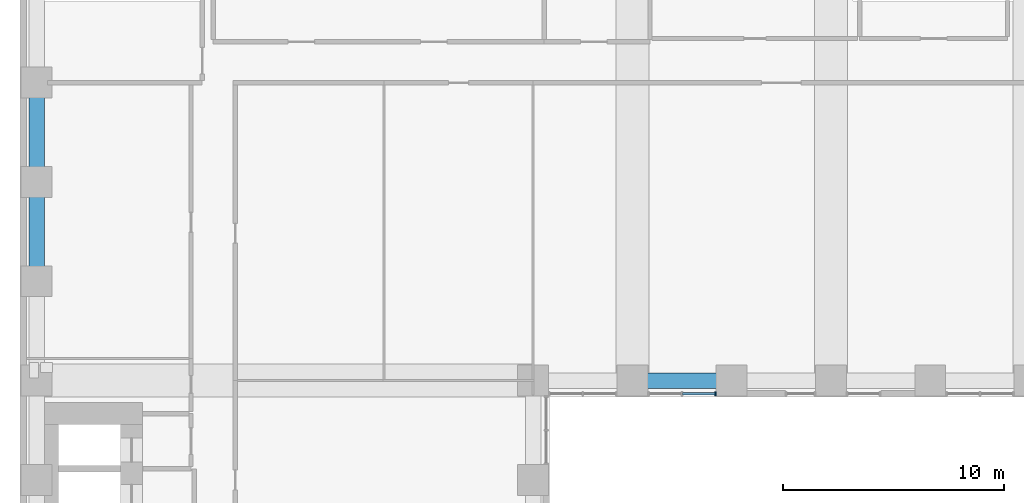
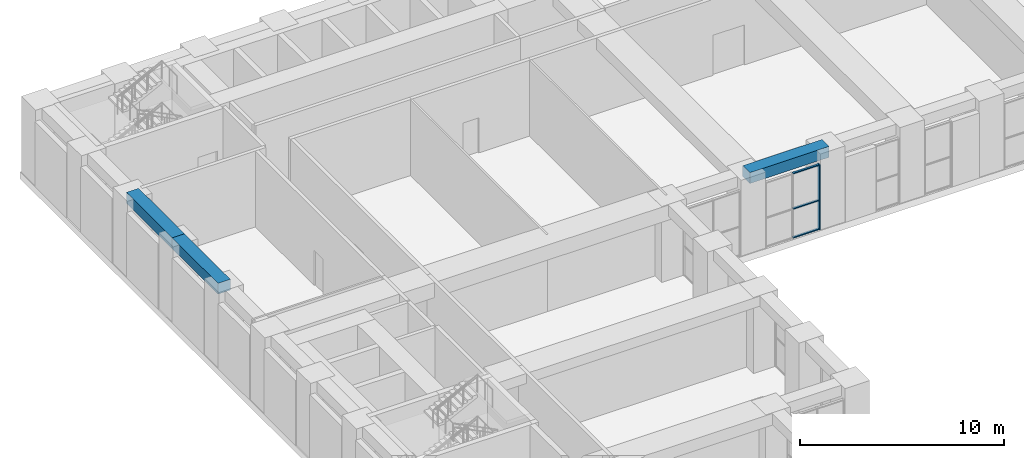
# One storey, part 4 of 34: 4 members, 3 beams, 1 element without a shape of its own.
"""IFC4 building model written with IfcOpenShell, lengths in metres."""

from ifc_helpers import new_model, si_unit, direction, frame, origin, origin_2d, place, context, subcontext, project, spatial, rectangle, extrude, material, material_profile, profile_set, type_object, element, aggregate, save


model = new_model("IFC4")

# Units and contexts
model_context = context("Model", 3, precision=1e-05, world=origin(), true_north=direction((0.0, 1.0)))
body_context = subcontext(model_context, "Body", "Model", "MODEL_VIEW")
ifc_project = project(units=[si_unit("LENGTHUNIT", "METRE"), si_unit("AREAUNIT", "SQUARE_METRE"), si_unit("VOLUMEUNIT", "CUBIC_METRE"), si_unit("PLANEANGLEUNIT", "RADIAN"), si_unit("MASSUNIT", "GRAM", prefix="KILO")], contexts=[model_context])

# Site, building, storey
site_placement = place(None, origin())
site = spatial("IfcSite", under=ifc_project, at=site_placement, CompositionType="ELEMENT")
building_placement = place(site_placement, origin())
building = spatial("IfcBuilding", under=site, at=building_placement, Name="Firuza Court", CompositionType="ELEMENT")
storey_placement = place(building_placement, frame((0.0, 0.0, 19.0)))
storey = spatial("IfcBuildingStorey", under=building, at=storey_placement, Name="L03", CompositionType="ELEMENT", Elevation=19.0)

# Curtain wall, member
ifc_material_1 = material(Name="Aluminium curtain wall, triple clear glazing", Category="aluminium")
curtain_wall_type = type_object("IfcCurtainWallType", Name="Podium unitised curtain wall CW1", PredefinedType="NOTDEFINED", material=ifc_material_1)
curtain_wall_placement = place(storey_placement, origin())
curtain_wall = element("IfcCurtainWall", 1, at=curtain_wall_placement, inside=storey, type_object=curtain_wall_type, Name="Podium unitised curtain wall CW1 L03", PredefinedType="NOTDEFINED")
ifc_material_2 = material(Name="Aluminium EN AW-6060 T66", Category="aluminium")
ifc_material_profile_1 = material_profile(ifc_material_2, rectangle(XDim=0.179931640625, YDim=0.06005859375, at=origin_2d()), Name="Mullion 180 x 60 CW1")
ifc_profile_set_1 = profile_set([ifc_material_profile_1], Name="Aluminium EN AW-6060 T66")
member_type_1 = type_object("IfcMemberType", Name="Mullion 180 x 60 CW1", PredefinedType="MULLION", material=ifc_profile_set_1)
member_1_placement = place(storey_placement, frame((30.77001953125, 35.39990234375, 0.0), z_axis=(0.0, 0.0, 1.0), x_axis=(0.0, 1.0, 0.0)))
member_1 = element("IfcMember", 2, at=member_1_placement, type_object=member_type_1, Name="CW1 mullion 3", PredefinedType="MULLION", context=body_context, shape_type="SweptSolid", body=[
    extrude(rectangle(XDim=0.179931640625, YDim=0.06005859375, at=origin_2d()), origin(), (0.0, 0.0, 1.0), 3.89990234375),
])

# Beams
ifc_material_3 = material(Name="Concrete C40/50", Category="concrete")
ifc_material_profile_2 = material_profile(ifc_material_3, rectangle(XDim=0.699951171875, YDim=0.64990234375, at=origin_2d()), Name="RC 700x650")
ifc_profile_set_2 = profile_set([ifc_material_profile_2], Name="Concrete C40/50")
beam_type = type_object("IfcBeamType", Name="Spandrel beam RC 700x650 C40/50", PredefinedType="BEAM", material=ifc_profile_set_2)
for number, where, z_axis, x_axis, name in (
    (3, (0.0, 45.0, 4.22509765625), (0.0, -1.0, 0.0), (1.0, 0.0, 0.0), "Spandrel beam SP9 level L04"),
    (4, (0.0, 49.5, 4.22509765625), (0.0, -1.0, 0.0), (1.0, 0.0, 0.0), "Spandrel beam SP9 level L04"),
    (5, (27.0, 36.0, 4.22509765625), (1.0, 0.0, 0.0), (0.0, 1.0, 0.0), "Spandrel beam SP9 level L04"),
):
    element("IfcBeam", number, at=place(storey_placement, frame(where, z_axis=z_axis, x_axis=x_axis)), inside=storey, type_object=beam_type, Name=name, PredefinedType="BEAM", context=body_context, shape_type="SweptSolid", body=[
        extrude(rectangle(XDim=0.699951171875, YDim=0.64990234375, at=origin_2d()), origin(), (0.0, 0.0, 1.0), 4.5),
    ])

# Member
ifc_material_4 = material(Name="Aluminium EN AW-6060 T66", Category="aluminium")
ifc_material_profile_3 = material_profile(ifc_material_4, rectangle(XDim=0.1201171875, YDim=0.06005859375, at=origin_2d()), Name="Transom 120 x 60 CW1")
ifc_profile_set_3 = profile_set([ifc_material_profile_3], Name="Aluminium EN AW-6060 T66")
member_type_2 = type_object("IfcMemberType", Name="Transom 120 x 60 CW1", PredefinedType="USERDEFINED", material=ifc_profile_set_3)
member_2_placement = place(storey_placement, frame((29.280029296875, 35.39990234375, 0.030029296875), z_axis=(1.0, 0.0, 0.0), x_axis=(0.0, 1.0, 0.0)))
member_2 = element("IfcMember", 6, at=member_2_placement, type_object=member_type_2, Name="CW1 transom 2.1", ObjectType="TRANSOM", PredefinedType="USERDEFINED", context=body_context, shape_type="SweptSolid", body=[
    extrude(rectangle(XDim=0.1201171875, YDim=0.06005859375, at=origin_2d()), origin(), (0.0, 0.0, 1.0), 1.4599609375),
])

member_3_placement = place(storey_placement, frame((29.280029296875, 35.39990234375, 1.7548828125), z_axis=(1.0, 0.0, 0.0), x_axis=(0.0, 1.0, 0.0)))
member_3 = element("IfcMember", 7, at=member_3_placement, type_object=member_type_2, Name="CW1 transom 2.2", ObjectType="TRANSOM", PredefinedType="USERDEFINED", context=body_context, shape_type="SweptSolid", body=[
    extrude(rectangle(XDim=0.1201171875, YDim=0.06005859375, at=origin_2d()), origin(), (0.0, 0.0, 1.0), 1.4599609375),
])

member_4_placement = place(storey_placement, frame((29.280029296875, 35.39990234375, 3.8701171875), z_axis=(1.0, 0.0, 0.0), x_axis=(0.0, 1.0, 0.0)))
member_4 = element("IfcMember", 8, at=member_4_placement, type_object=member_type_2, Name="CW1 transom 2.3", ObjectType="TRANSOM", PredefinedType="USERDEFINED", context=body_context, shape_type="SweptSolid", body=[
    extrude(rectangle(XDim=0.1201171875, YDim=0.06005859375, at=origin_2d()), origin(), (0.0, 0.0, 1.0), 1.4599609375),
])

aggregate(curtain_wall, [member_1, member_2, member_3, member_4])

save(model, "model.ifc")
